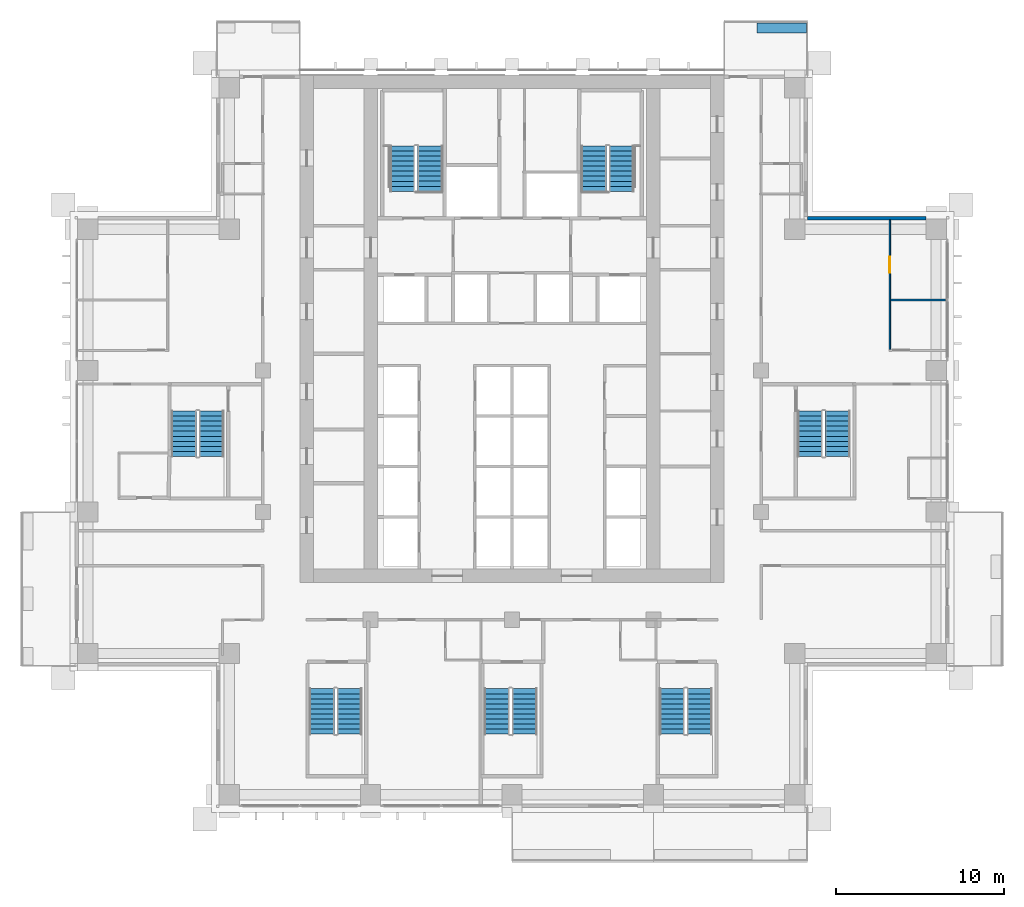
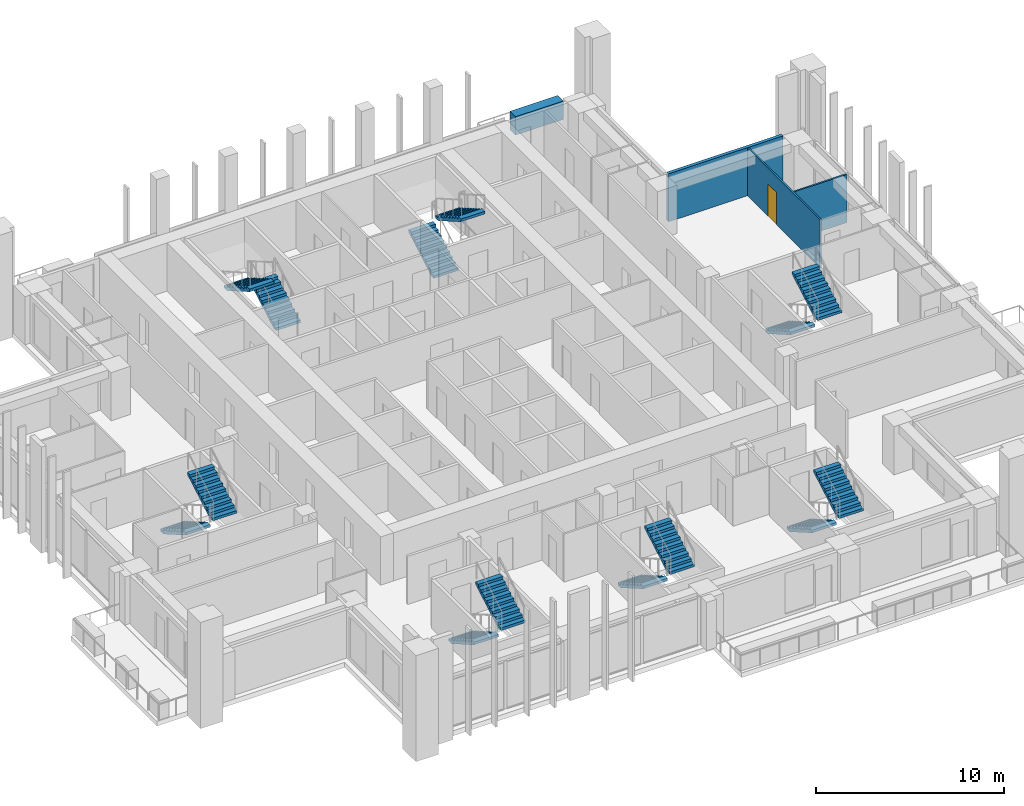
# One storey, part 14 of 19: 14 stair flights, 4 walls, 1 door, 1 opening, 7 elements without a shape of their own.
"""IFC4 building model written with IfcOpenShell, lengths in metres."""

from ifc_helpers import new_model, si_unit, direction, frame, frame_2d, origin, place, context, subcontext, project, spatial, polyline, rectangle, outline, extrude, material, layer, layer_set, type_object, element, fill, aggregate, save


model = new_model("IFC4")

# Units and contexts
model_context = context("Model", 3, precision=1e-05, world=origin(), true_north=direction((0.0, 1.0)))
body_context = subcontext(model_context, "Body", "Model", "MODEL_VIEW")
ifc_project = project(units=[si_unit("LENGTHUNIT", "METRE"), si_unit("AREAUNIT", "SQUARE_METRE"), si_unit("VOLUMEUNIT", "CUBIC_METRE"), si_unit("PLANEANGLEUNIT", "RADIAN"), si_unit("MASSUNIT", "GRAM", prefix="KILO")], contexts=[model_context])

# Site, building, storey
site_placement = place(None, origin())
site = spatial("IfcSite", under=ifc_project, at=site_placement, CompositionType="ELEMENT")
building_placement = place(site_placement, origin())
building = spatial("IfcBuilding", under=site, at=building_placement, Name="Vermilion Ogive Tower", CompositionType="ELEMENT")
storey_placement = place(building_placement, frame((0.0, 0.0, 90.75)))
storey = spatial("IfcBuildingStorey", under=building, at=storey_placement, Name="L22", CompositionType="ELEMENT", Elevation=90.75)

# Wall
ifc_material_1 = material(Name="Gypsum board partition on steel studs", Category="steel")
ifc_layer_1 = layer(ifc_material_1, 0.10009765625)
ifc_layer_set_1 = layer_set([ifc_layer_1], Name="Partition 100 inner")
wall_type_1 = type_object("IfcWallType", Name="Partition 100 inner", PredefinedType="PARTITIONING", material=ifc_layer_set_1)
wall_1_placement = place(storey_placement, frame((22.5, 8.39990234375, 0.0), z_axis=(0.0, 0.0, 1.0), x_axis=(1.0, 0.0, 0.0)))
element("IfcWall", 1, at=wall_1_placement, inside=storey, type_object=wall_type_1, Name="L22-W-W030", PredefinedType="PARTITIONING", context=body_context, shape_type="SweptSolid", body=[
    extrude(rectangle(XDim=3.25, YDim=0.10009765625, at=frame_2d((1.625, 0.0))), origin(), (0.0, 0.0, 1.0), 3.1298828125),
])

# Wall, opening, door
wall_2_placement = place(storey_placement, frame((22.449951171875, 5.449951171875, 0.0), z_axis=(0.0, 0.0, 1.0), x_axis=(0.0, 1.0, 0.0)))
wall_2 = element("IfcWall", 2, at=wall_2_placement, inside=storey, type_object=wall_type_1, Name="L22-W-W064", PredefinedType="PARTITIONING", context=body_context, shape_type="SweptSolid", body=[
    extrude(rectangle(XDim=7.699951171875, YDim=0.10009765625, at=frame_2d((3.85009765625, 0.0))), origin(), (0.0, 0.0, 1.0), 3.1298828125),
])
opening_placement = place(wall_2_placement, frame((4.574951171875, 0.0, 0.0)))
opening = element("IfcOpeningElement", 3, at=opening_placement, cuts=wall_2, Name="Opening D2G2016", PredefinedType="OPENING", context=body_context, shape_type="SweptSolid", body=[
    extrude(rectangle(XDim=0.949951171875, YDim=2.10009765625, at=frame_2d((0.47509765625, 1.050048828125))), frame((0.0, 0.06005859375, 0.0), z_axis=(0.0, -1.0, 0.0), x_axis=(1.0, 0.0, 0.0)), (0.0, 0.0, 1.0), 0.1201171875),
])
ifc_material_2 = material(Name="Timber door leaf", Category="wood")
door_type = type_object("IfcDoorType", Name="Inner door 950 x 2100 FD30", OperationType="SINGLE_SWING_LEFT", PredefinedType="DOOR", material=ifc_material_2)
door_placement = place(opening_placement, origin())
door = element("IfcDoor", 4, at=door_placement, inside=storey, type_object=door_type, Name="L22-D-D016", OperationType="SINGLE_SWING_RIGHT", OverallHeight=2.10009765625, OverallWidth=0.949951171875, PredefinedType="DOOR", context=body_context, shape_type="SweptSolid", body=[
    extrude(rectangle(XDim=0.949951171875, YDim=2.10009765625, at=frame_2d((0.47509765625, 1.050048828125))), frame((0.0, 0.02490234375, 0.0), z_axis=(0.0, -1.0, 0.0), x_axis=(1.0, 0.0, 0.0)), (0.0, 0.0, 1.0), 0.050048828125),
])
fill(opening, door)

# Walls
ifc_material_3 = material(Name="Concrete B40", Category="concrete")
ifc_layer_2 = layer(ifc_material_3, 0.60009765625)
ifc_layer_set_2 = layer_set([ifc_layer_2], Name="Structural planter")
wall_type_2 = type_object("IfcWallType", Name="Structural planter", PredefinedType="USERDEFINED", material=ifc_layer_set_2)
wall_3_placement = place(storey_placement, frame((17.489990234375, 24.550048828125, -0.0400390625), z_axis=(0.0, 0.0, 1.0), x_axis=(-1.0, 0.0, 0.0)))
element("IfcWall", 5, at=wall_3_placement, inside=storey, type_object=wall_type_2, Name="Planter N101A1", ObjectType="PLANTER", PredefinedType="USERDEFINED", context=body_context, shape_type="SweptSolid", body=[
    extrude(rectangle(XDim=2.93994140625, YDim=0.60009765625, at=frame_2d((1.469970703125, 0.0))), origin(), (0.0, 0.0, 1.0), 1.199951171875),
])
ifc_material_4 = material(Name="Aluminium window wall framing", Category="aluminium")
ifc_layer_3 = layer(ifc_material_4, 0.199951171875)
ifc_layer_set_3 = layer_set([ifc_layer_3], Name="Window wall")
wall_type_3 = type_object("IfcWallType", Name="Window wall", PredefinedType="STANDARD", material=ifc_layer_set_3)
wall_4_placement = place(storey_placement, frame((24.60009765625, 13.25, 0.0), z_axis=(0.0, 0.0, 1.0), x_axis=(-1.0, 0.0, 0.0)))
element("IfcWall", 6, at=wall_4_placement, inside=storey, type_object=wall_type_3, Name="Window wall X31", PredefinedType="STANDARD", context=body_context, shape_type="SweptSolid", body=[
    extrude(rectangle(XDim=7.050048828125, YDim=0.199951171875, at=frame_2d((3.52490234375, 0.0))), origin(), (0.0, 0.0, 1.0), 3.1298828125),
])

# Stair, stair flights
ifc_material_5 = material(Name="Concrete B40", Category="concrete")
stair_type = type_object("IfcStairType", Name="Exit stair 1500", PredefinedType="HALF_TURN_STAIR", material=ifc_material_5)
stair_1_placement = place(storey_placement, origin())
stair_1 = element("IfcStair", 7, at=stair_1_placement, inside=storey, type_object=stair_type, Name="L22 Exit Stair ST1", PredefinedType="HALF_TURN_STAIR")
ifc_material_6 = material(Name="Concrete B40", Category="concrete")
stair_flight_type = type_object("IfcStairFlightType", Name="Stair flight 1500", PredefinedType="STRAIGHT", material=ifc_material_6)
stair_flight_1_placement = place(storey_placement, frame((-4.85009765625, 14.85009765625, 0.0), z_axis=(0.0, 0.0, 1.0), x_axis=(0.0, 1.0, 0.0)))
stair_flight_1 = element("IfcStairFlight", 8, at=stair_flight_1_placement, type_object=stair_flight_type, Name="ST1 flight 1", NumberOfRisers=10, NumberOfTreads=9, PredefinedType="STRAIGHT", RiserHeight=0.1725, TreadLength=0.3, context=body_context, shape_type="SweptSolid", body=[
    extrude(outline(polyline([(0.0, 0.0), (0.0, 0.172607421875), (0.300048828125, 0.172607421875), (0.300048828125, 0.344970703125), (0.60009765625, 0.344970703125), (0.60009765625, 0.517578125), (0.89990234375, 0.517578125), (0.89990234375, 0.68994140625), (1.199951171875, 0.68994140625), (1.199951171875, 0.862548828125), (1.5, 0.862548828125), (1.5, 1.034912109375), (1.800048828125, 1.034912109375), (1.800048828125, 1.20751953125), (2.10009765625, 1.20751953125), (2.10009765625, 1.3798828125), (2.39990234375, 1.3798828125), (2.39990234375, 1.552490234375), (2.699951171875, 1.552490234375), (2.699951171875, 1.72509765625), (2.699951171875, 1.379638671875), (0.30078125, 0.0), (0.0, 0.0)])), frame((0.0, 0.75, 0.0), z_axis=(0.0, -1.0, 0.0), x_axis=(1.0, 0.0, 0.0)), (0.0, 0.0, 1.0), 1.5),
])
stair_flight_2_placement = place(storey_placement, frame((-6.5, 17.550048828125, 1.72509765625), z_axis=(0.0, 0.0, 1.0), x_axis=(0.0, -1.0, 0.0)))
stair_flight_2 = element("IfcStairFlight", 9, at=stair_flight_2_placement, type_object=stair_flight_type, Name="ST1 flight 2", NumberOfRisers=10, NumberOfTreads=9, PredefinedType="STRAIGHT", RiserHeight=0.1725, TreadLength=0.3, context=body_context, shape_type="SweptSolid", body=[
    extrude(outline(polyline([(0.0, 0.0), (0.0, 0.172607421875), (0.300048828125, 0.172607421875), (0.300048828125, 0.344970703125), (0.60009765625, 0.344970703125), (0.60009765625, 0.517578125), (0.89990234375, 0.517578125), (0.89990234375, 0.68994140625), (1.199951171875, 0.68994140625), (1.199951171875, 0.862548828125), (1.5, 0.862548828125), (1.5, 1.034912109375), (1.800048828125, 1.034912109375), (1.800048828125, 1.20751953125), (2.10009765625, 1.20751953125), (2.10009765625, 1.3798828125), (2.39990234375, 1.3798828125), (2.39990234375, 1.552490234375), (2.699951171875, 1.552490234375), (2.699951171875, 1.72509765625), (2.699951171875, 1.379638671875), (0.30078125, 0.0), (0.0, 0.0)])), frame((0.0, 0.75, 0.0), z_axis=(0.0, -1.0, 0.0), x_axis=(1.0, 0.0, 0.0)), (0.0, 0.0, 1.0), 1.5),
])
aggregate(stair_1, [stair_flight_1, stair_flight_2])

stair_2_placement = place(storey_placement, origin())
stair_2 = element("IfcStair", 10, at=stair_2_placement, inside=storey, type_object=stair_type, Name="L22 Exit Stair ST2", PredefinedType="HALF_TURN_STAIR")
stair_flight_3_placement = place(storey_placement, frame((4.85009765625, 14.85009765625, 0.0), z_axis=(0.0, 0.0, 1.0), x_axis=(0.0, 1.0, 0.0)))
stair_flight_3 = element("IfcStairFlight", 11, at=stair_flight_3_placement, type_object=stair_flight_type, Name="ST2 flight 1", NumberOfRisers=10, NumberOfTreads=9, PredefinedType="STRAIGHT", RiserHeight=0.1725, TreadLength=0.3, context=body_context, shape_type="SweptSolid", body=[
    extrude(outline(polyline([(0.0, 0.0), (0.0, 0.172607421875), (0.300048828125, 0.172607421875), (0.300048828125, 0.344970703125), (0.60009765625, 0.344970703125), (0.60009765625, 0.517578125), (0.89990234375, 0.517578125), (0.89990234375, 0.68994140625), (1.199951171875, 0.68994140625), (1.199951171875, 0.862548828125), (1.5, 0.862548828125), (1.5, 1.034912109375), (1.800048828125, 1.034912109375), (1.800048828125, 1.20751953125), (2.10009765625, 1.20751953125), (2.10009765625, 1.3798828125), (2.39990234375, 1.3798828125), (2.39990234375, 1.552490234375), (2.699951171875, 1.552490234375), (2.699951171875, 1.72509765625), (2.699951171875, 1.379638671875), (0.30078125, 0.0), (0.0, 0.0)])), frame((0.0, 0.75, 0.0), z_axis=(0.0, -1.0, 0.0), x_axis=(1.0, 0.0, 0.0)), (0.0, 0.0, 1.0), 1.5),
])
stair_flight_4_placement = place(storey_placement, frame((6.5, 17.550048828125, 1.72509765625), z_axis=(0.0, 0.0, 1.0), x_axis=(0.0, -1.0, 0.0)))
stair_flight_4 = element("IfcStairFlight", 12, at=stair_flight_4_placement, type_object=stair_flight_type, Name="ST2 flight 2", NumberOfRisers=10, NumberOfTreads=9, PredefinedType="STRAIGHT", RiserHeight=0.1725, TreadLength=0.3, context=body_context, shape_type="SweptSolid", body=[
    extrude(outline(polyline([(0.0, 0.0), (0.0, 0.172607421875), (0.300048828125, 0.172607421875), (0.300048828125, 0.344970703125), (0.60009765625, 0.344970703125), (0.60009765625, 0.517578125), (0.89990234375, 0.517578125), (0.89990234375, 0.68994140625), (1.199951171875, 0.68994140625), (1.199951171875, 0.862548828125), (1.5, 0.862548828125), (1.5, 1.034912109375), (1.800048828125, 1.034912109375), (1.800048828125, 1.20751953125), (2.10009765625, 1.20751953125), (2.10009765625, 1.3798828125), (2.39990234375, 1.3798828125), (2.39990234375, 1.552490234375), (2.699951171875, 1.552490234375), (2.699951171875, 1.72509765625), (2.699951171875, 1.379638671875), (0.30078125, 0.0), (0.0, 0.0)])), frame((0.0, 0.75, 0.0), z_axis=(0.0, -1.0, 0.0), x_axis=(1.0, 0.0, 0.0)), (0.0, 0.0, 1.0), 1.5),
])
aggregate(stair_2, [stair_flight_3, stair_flight_4])

stair_3_placement = place(storey_placement, origin())
stair_3 = element("IfcStair", 13, at=stair_3_placement, inside=storey, type_object=stair_type, Name="L22 Exit Stair ST3", PredefinedType="HALF_TURN_STAIR")
stair_flight_5_placement = place(storey_placement, frame((-11.300048828125, -14.699951171875, 0.0), z_axis=(0.0, 0.0, 1.0), x_axis=(0.0, -1.0, 0.0)))
stair_flight_5 = element("IfcStairFlight", 14, at=stair_flight_5_placement, type_object=stair_flight_type, Name="ST3 flight 1", NumberOfRisers=10, NumberOfTreads=9, PredefinedType="STRAIGHT", RiserHeight=0.1725, TreadLength=0.3, context=body_context, shape_type="SweptSolid", body=[
    extrude(outline(polyline([(0.0, 0.0), (0.0, 0.172607421875), (0.300048828125, 0.172607421875), (0.300048828125, 0.344970703125), (0.60009765625, 0.344970703125), (0.60009765625, 0.517578125), (0.89990234375, 0.517578125), (0.89990234375, 0.68994140625), (1.199951171875, 0.68994140625), (1.199951171875, 0.862548828125), (1.5, 0.862548828125), (1.5, 1.034912109375), (1.800048828125, 1.034912109375), (1.800048828125, 1.20751953125), (2.10009765625, 1.20751953125), (2.10009765625, 1.3798828125), (2.39990234375, 1.3798828125), (2.39990234375, 1.552490234375), (2.699951171875, 1.552490234375), (2.699951171875, 1.72509765625), (2.699951171875, 1.379638671875), (0.30078125, 0.0), (0.0, 0.0)])), frame((0.0, 0.75, 0.0), z_axis=(0.0, -1.0, 0.0), x_axis=(1.0, 0.0, 0.0)), (0.0, 0.0, 1.0), 1.5),
])
stair_flight_6_placement = place(storey_placement, frame((-9.64990234375, -17.39990234375, 1.72509765625), z_axis=(0.0, 0.0, 1.0), x_axis=(0.0, 1.0, 0.0)))
stair_flight_6 = element("IfcStairFlight", 15, at=stair_flight_6_placement, type_object=stair_flight_type, Name="ST3 flight 2", NumberOfRisers=10, NumberOfTreads=9, PredefinedType="STRAIGHT", RiserHeight=0.1725, TreadLength=0.3, context=body_context, shape_type="SweptSolid", body=[
    extrude(outline(polyline([(0.0, 0.0), (0.0, 0.172607421875), (0.300048828125, 0.172607421875), (0.300048828125, 0.344970703125), (0.60009765625, 0.344970703125), (0.60009765625, 0.517578125), (0.89990234375, 0.517578125), (0.89990234375, 0.68994140625), (1.199951171875, 0.68994140625), (1.199951171875, 0.862548828125), (1.5, 0.862548828125), (1.5, 1.034912109375), (1.800048828125, 1.034912109375), (1.800048828125, 1.20751953125), (2.10009765625, 1.20751953125), (2.10009765625, 1.3798828125), (2.39990234375, 1.3798828125), (2.39990234375, 1.552490234375), (2.699951171875, 1.552490234375), (2.699951171875, 1.72509765625), (2.699951171875, 1.379638671875), (0.30078125, 0.0), (0.0, 0.0)])), frame((0.0, 0.75, 0.0), z_axis=(0.0, -1.0, 0.0), x_axis=(1.0, 0.0, 0.0)), (0.0, 0.0, 1.0), 1.5),
])
aggregate(stair_3, [stair_flight_5, stair_flight_6])

stair_4_placement = place(storey_placement, origin())
stair_4 = element("IfcStair", 16, at=stair_4_placement, inside=storey, type_object=stair_type, Name="L22 Exit Stair ST4", PredefinedType="HALF_TURN_STAIR")
stair_flight_7_placement = place(storey_placement, frame((-0.89990234375, -14.699951171875, 0.0), z_axis=(0.0, 0.0, 1.0), x_axis=(0.0, -1.0, 0.0)))
stair_flight_7 = element("IfcStairFlight", 17, at=stair_flight_7_placement, type_object=stair_flight_type, Name="ST4 flight 1", NumberOfRisers=10, NumberOfTreads=9, PredefinedType="STRAIGHT", RiserHeight=0.1725, TreadLength=0.3, context=body_context, shape_type="SweptSolid", body=[
    extrude(outline(polyline([(0.0, 0.0), (0.0, 0.172607421875), (0.300048828125, 0.172607421875), (0.300048828125, 0.344970703125), (0.60009765625, 0.344970703125), (0.60009765625, 0.517578125), (0.89990234375, 0.517578125), (0.89990234375, 0.68994140625), (1.199951171875, 0.68994140625), (1.199951171875, 0.862548828125), (1.5, 0.862548828125), (1.5, 1.034912109375), (1.800048828125, 1.034912109375), (1.800048828125, 1.20751953125), (2.10009765625, 1.20751953125), (2.10009765625, 1.3798828125), (2.39990234375, 1.3798828125), (2.39990234375, 1.552490234375), (2.699951171875, 1.552490234375), (2.699951171875, 1.72509765625), (2.699951171875, 1.379638671875), (0.30078125, 0.0), (0.0, 0.0)])), frame((0.0, 0.75, 0.0), z_axis=(0.0, -1.0, 0.0), x_axis=(1.0, 0.0, 0.0)), (0.0, 0.0, 1.0), 1.5),
])
stair_flight_8_placement = place(storey_placement, frame((0.75, -17.39990234375, 1.72509765625), z_axis=(0.0, 0.0, 1.0), x_axis=(0.0, 1.0, 0.0)))
stair_flight_8 = element("IfcStairFlight", 18, at=stair_flight_8_placement, type_object=stair_flight_type, Name="ST4 flight 2", NumberOfRisers=10, NumberOfTreads=9, PredefinedType="STRAIGHT", RiserHeight=0.1725, TreadLength=0.3, context=body_context, shape_type="SweptSolid", body=[
    extrude(outline(polyline([(0.0, 0.0), (0.0, 0.172607421875), (0.300048828125, 0.172607421875), (0.300048828125, 0.344970703125), (0.60009765625, 0.344970703125), (0.60009765625, 0.517578125), (0.89990234375, 0.517578125), (0.89990234375, 0.68994140625), (1.199951171875, 0.68994140625), (1.199951171875, 0.862548828125), (1.5, 0.862548828125), (1.5, 1.034912109375), (1.800048828125, 1.034912109375), (1.800048828125, 1.20751953125), (2.10009765625, 1.20751953125), (2.10009765625, 1.3798828125), (2.39990234375, 1.3798828125), (2.39990234375, 1.552490234375), (2.699951171875, 1.552490234375), (2.699951171875, 1.72509765625), (2.699951171875, 1.379638671875), (0.30078125, 0.0), (0.0, 0.0)])), frame((0.0, 0.75, 0.0), z_axis=(0.0, -1.0, 0.0), x_axis=(1.0, 0.0, 0.0)), (0.0, 0.0, 1.0), 1.5),
])
aggregate(stair_4, [stair_flight_7, stair_flight_8])

stair_5_placement = place(storey_placement, origin())
stair_5 = element("IfcStair", 19, at=stair_5_placement, inside=storey, type_object=stair_type, Name="L22 Exit Stair ST5", PredefinedType="HALF_TURN_STAIR")
stair_flight_9_placement = place(storey_placement, frame((9.5, -14.699951171875, 0.0), z_axis=(0.0, 0.0, 1.0), x_axis=(0.0, -1.0, 0.0)))
stair_flight_9 = element("IfcStairFlight", 20, at=stair_flight_9_placement, type_object=stair_flight_type, Name="ST5 flight 1", NumberOfRisers=10, NumberOfTreads=9, PredefinedType="STRAIGHT", RiserHeight=0.1725, TreadLength=0.3, context=body_context, shape_type="SweptSolid", body=[
    extrude(outline(polyline([(0.0, 0.0), (0.0, 0.172607421875), (0.300048828125, 0.172607421875), (0.300048828125, 0.344970703125), (0.60009765625, 0.344970703125), (0.60009765625, 0.517578125), (0.89990234375, 0.517578125), (0.89990234375, 0.68994140625), (1.199951171875, 0.68994140625), (1.199951171875, 0.862548828125), (1.5, 0.862548828125), (1.5, 1.034912109375), (1.800048828125, 1.034912109375), (1.800048828125, 1.20751953125), (2.10009765625, 1.20751953125), (2.10009765625, 1.3798828125), (2.39990234375, 1.3798828125), (2.39990234375, 1.552490234375), (2.699951171875, 1.552490234375), (2.699951171875, 1.72509765625), (2.699951171875, 1.379638671875), (0.30078125, 0.0), (0.0, 0.0)])), frame((0.0, 0.75, 0.0), z_axis=(0.0, -1.0, 0.0), x_axis=(1.0, 0.0, 0.0)), (0.0, 0.0, 1.0), 1.5),
])
stair_flight_10_placement = place(storey_placement, frame((11.14990234375, -17.39990234375, 1.72509765625), z_axis=(0.0, 0.0, 1.0), x_axis=(0.0, 1.0, 0.0)))
stair_flight_10 = element("IfcStairFlight", 21, at=stair_flight_10_placement, type_object=stair_flight_type, Name="ST5 flight 2", NumberOfRisers=10, NumberOfTreads=9, PredefinedType="STRAIGHT", RiserHeight=0.1725, TreadLength=0.3, context=body_context, shape_type="SweptSolid", body=[
    extrude(outline(polyline([(0.0, 0.0), (0.0, 0.172607421875), (0.300048828125, 0.172607421875), (0.300048828125, 0.344970703125), (0.60009765625, 0.344970703125), (0.60009765625, 0.517578125), (0.89990234375, 0.517578125), (0.89990234375, 0.68994140625), (1.199951171875, 0.68994140625), (1.199951171875, 0.862548828125), (1.5, 0.862548828125), (1.5, 1.034912109375), (1.800048828125, 1.034912109375), (1.800048828125, 1.20751953125), (2.10009765625, 1.20751953125), (2.10009765625, 1.3798828125), (2.39990234375, 1.3798828125), (2.39990234375, 1.552490234375), (2.699951171875, 1.552490234375), (2.699951171875, 1.72509765625), (2.699951171875, 1.379638671875), (0.30078125, 0.0), (0.0, 0.0)])), frame((0.0, 0.75, 0.0), z_axis=(0.0, -1.0, 0.0), x_axis=(1.0, 0.0, 0.0)), (0.0, 0.0, 1.0), 1.5),
])
aggregate(stair_5, [stair_flight_9, stair_flight_10])

stair_6_placement = place(storey_placement, origin())
stair_6 = element("IfcStair", 22, at=stair_6_placement, inside=storey, type_object=stair_type, Name="L22 Exit Stair ST8", PredefinedType="HALF_TURN_STAIR")
stair_flight_11_placement = place(storey_placement, frame((17.699951171875, 1.800048828125, 0.0), z_axis=(0.0, 0.0, 1.0), x_axis=(0.0, -1.0, 0.0)))
stair_flight_11 = element("IfcStairFlight", 23, at=stair_flight_11_placement, type_object=stair_flight_type, Name="ST8 flight 1", NumberOfRisers=10, NumberOfTreads=9, PredefinedType="STRAIGHT", RiserHeight=0.1725, TreadLength=0.3, context=body_context, shape_type="SweptSolid", body=[
    extrude(outline(polyline([(0.0, 0.0), (0.0, 0.172607421875), (0.300048828125, 0.172607421875), (0.300048828125, 0.344970703125), (0.60009765625, 0.344970703125), (0.60009765625, 0.517578125), (0.89990234375, 0.517578125), (0.89990234375, 0.68994140625), (1.199951171875, 0.68994140625), (1.199951171875, 0.862548828125), (1.5, 0.862548828125), (1.5, 1.034912109375), (1.800048828125, 1.034912109375), (1.800048828125, 1.20751953125), (2.10009765625, 1.20751953125), (2.10009765625, 1.3798828125), (2.39990234375, 1.3798828125), (2.39990234375, 1.552490234375), (2.699951171875, 1.552490234375), (2.699951171875, 1.72509765625), (2.699951171875, 1.379638671875), (0.30078125, 0.0), (0.0, 0.0)])), frame((0.0, 0.75, 0.0), z_axis=(0.0, -1.0, 0.0), x_axis=(1.0, 0.0, 0.0)), (0.0, 0.0, 1.0), 1.5),
])
stair_flight_12_placement = place(storey_placement, frame((19.35009765625, -0.89990234375, 1.72509765625), z_axis=(0.0, 0.0, 1.0), x_axis=(0.0, 1.0, 0.0)))
stair_flight_12 = element("IfcStairFlight", 24, at=stair_flight_12_placement, type_object=stair_flight_type, Name="ST8 flight 2", NumberOfRisers=10, NumberOfTreads=9, PredefinedType="STRAIGHT", RiserHeight=0.1725, TreadLength=0.3, context=body_context, shape_type="SweptSolid", body=[
    extrude(outline(polyline([(0.0, 0.0), (0.0, 0.172607421875), (0.300048828125, 0.172607421875), (0.300048828125, 0.344970703125), (0.60009765625, 0.344970703125), (0.60009765625, 0.517578125), (0.89990234375, 0.517578125), (0.89990234375, 0.68994140625), (1.199951171875, 0.68994140625), (1.199951171875, 0.862548828125), (1.5, 0.862548828125), (1.5, 1.034912109375), (1.800048828125, 1.034912109375), (1.800048828125, 1.20751953125), (2.10009765625, 1.20751953125), (2.10009765625, 1.3798828125), (2.39990234375, 1.3798828125), (2.39990234375, 1.552490234375), (2.699951171875, 1.552490234375), (2.699951171875, 1.72509765625), (2.699951171875, 1.379638671875), (0.30078125, 0.0), (0.0, 0.0)])), frame((0.0, 0.75, 0.0), z_axis=(0.0, -1.0, 0.0), x_axis=(1.0, 0.0, 0.0)), (0.0, 0.0, 1.0), 1.5),
])
aggregate(stair_6, [stair_flight_11, stair_flight_12])

stair_7_placement = place(storey_placement, origin())
stair_7 = element("IfcStair", 25, at=stair_7_placement, inside=storey, type_object=stair_type, Name="L22 Exit Stair ST9", PredefinedType="HALF_TURN_STAIR")
stair_flight_13_placement = place(storey_placement, frame((-19.5, 1.800048828125, 0.0), z_axis=(0.0, 0.0, 1.0), x_axis=(0.0, -1.0, 0.0)))
stair_flight_13 = element("IfcStairFlight", 26, at=stair_flight_13_placement, type_object=stair_flight_type, Name="ST9 flight 1", NumberOfRisers=10, NumberOfTreads=9, PredefinedType="STRAIGHT", RiserHeight=0.1725, TreadLength=0.3, context=body_context, shape_type="SweptSolid", body=[
    extrude(outline(polyline([(0.0, 0.0), (0.0, 0.172607421875), (0.300048828125, 0.172607421875), (0.300048828125, 0.344970703125), (0.60009765625, 0.344970703125), (0.60009765625, 0.517578125), (0.89990234375, 0.517578125), (0.89990234375, 0.68994140625), (1.199951171875, 0.68994140625), (1.199951171875, 0.862548828125), (1.5, 0.862548828125), (1.5, 1.034912109375), (1.800048828125, 1.034912109375), (1.800048828125, 1.20751953125), (2.10009765625, 1.20751953125), (2.10009765625, 1.3798828125), (2.39990234375, 1.3798828125), (2.39990234375, 1.552490234375), (2.699951171875, 1.552490234375), (2.699951171875, 1.72509765625), (2.699951171875, 1.379638671875), (0.30078125, 0.0), (0.0, 0.0)])), frame((0.0, 0.75, 0.0), z_axis=(0.0, -1.0, 0.0), x_axis=(1.0, 0.0, 0.0)), (0.0, 0.0, 1.0), 1.5),
])
stair_flight_14_placement = place(storey_placement, frame((-17.85009765625, -0.89990234375, 1.72509765625), z_axis=(0.0, 0.0, 1.0), x_axis=(0.0, 1.0, 0.0)))
stair_flight_14 = element("IfcStairFlight", 27, at=stair_flight_14_placement, type_object=stair_flight_type, Name="ST9 flight 2", NumberOfRisers=10, NumberOfTreads=9, PredefinedType="STRAIGHT", RiserHeight=0.1725, TreadLength=0.3, context=body_context, shape_type="SweptSolid", body=[
    extrude(outline(polyline([(0.0, 0.0), (0.0, 0.172607421875), (0.300048828125, 0.172607421875), (0.300048828125, 0.344970703125), (0.60009765625, 0.344970703125), (0.60009765625, 0.517578125), (0.89990234375, 0.517578125), (0.89990234375, 0.68994140625), (1.199951171875, 0.68994140625), (1.199951171875, 0.862548828125), (1.5, 0.862548828125), (1.5, 1.034912109375), (1.800048828125, 1.034912109375), (1.800048828125, 1.20751953125), (2.10009765625, 1.20751953125), (2.10009765625, 1.3798828125), (2.39990234375, 1.3798828125), (2.39990234375, 1.552490234375), (2.699951171875, 1.552490234375), (2.699951171875, 1.72509765625), (2.699951171875, 1.379638671875), (0.30078125, 0.0), (0.0, 0.0)])), frame((0.0, 0.75, 0.0), z_axis=(0.0, -1.0, 0.0), x_axis=(1.0, 0.0, 0.0)), (0.0, 0.0, 1.0), 1.5),
])
aggregate(stair_7, [stair_flight_13, stair_flight_14])

save(model, "model.ifc")
